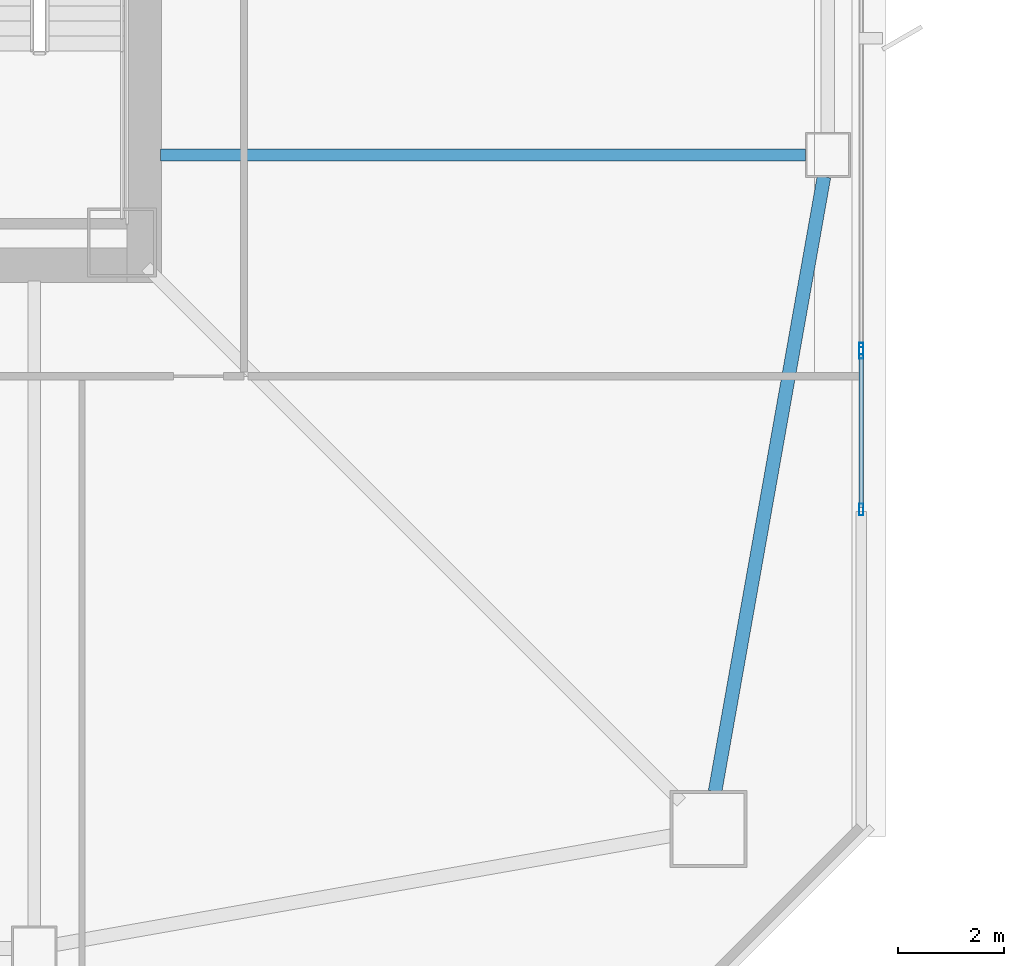
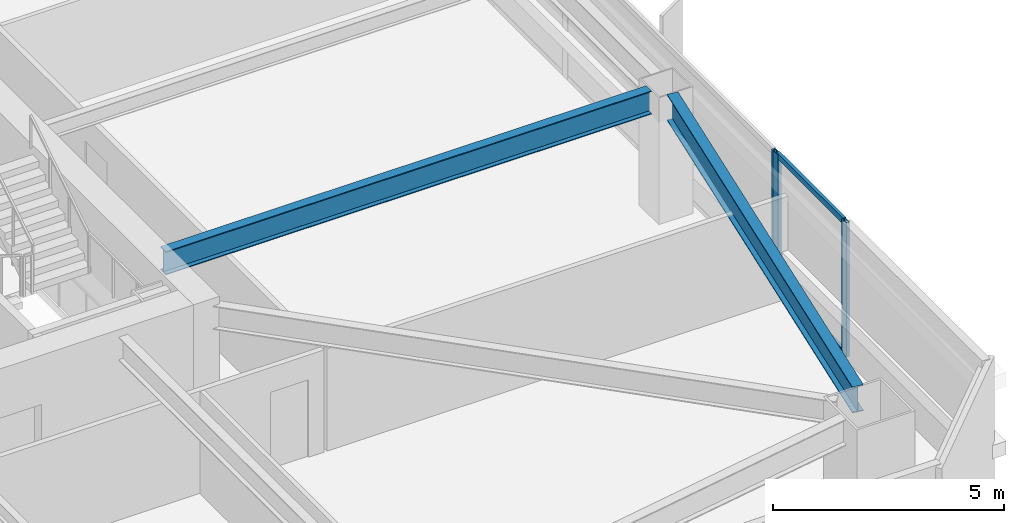
# One storey, part 10 of 49: 5 members, 2 beams, 2 elements without a shape of their own.
"""IFC4 building model written with IfcOpenShell, lengths in metres."""

from ifc_helpers import new_model, si_unit, direction, frame, origin, origin_2d, place, context, subcontext, project, spatial, hollow_rectangle, i_section, extrude, material, material_profile, profile_set, type_object, element, aggregate, save


model = new_model("IFC4")

# Units and contexts
model_context = context("Model", 3, precision=1e-05, world=origin(), true_north=direction((0.0, 1.0)))
body_context = subcontext(model_context, "Body", "Model", "MODEL_VIEW")
ifc_project = project(units=[si_unit("LENGTHUNIT", "METRE"), si_unit("AREAUNIT", "SQUARE_METRE"), si_unit("VOLUMEUNIT", "CUBIC_METRE"), si_unit("PLANEANGLEUNIT", "RADIAN"), si_unit("MASSUNIT", "GRAM", prefix="KILO")], contexts=[model_context])

# Site, building, storey
site_placement = place(None, origin())
site = spatial("IfcSite", under=ifc_project, at=site_placement, CompositionType="ELEMENT")
building_placement = place(site_placement, origin())
building = spatial("IfcBuilding", under=site, at=building_placement, Name="Tashvorn Skyway Center", CompositionType="ELEMENT")
storey_placement = place(building_placement, frame((0.0, 0.0, 70.75)))
storey = spatial("IfcBuildingStorey", under=building, at=storey_placement, Name="L18", CompositionType="ELEMENT", Elevation=70.75)

# Beams
ifc_material_1 = material(Name="Steel ASTM A992 Grade 50", Category="steel")
ifc_material_profile_1 = material_profile(ifc_material_1, i_section(OverallWidth=0.22998046875, OverallDepth=0.616943359375, WebThickness=0.01318359375, FlangeThickness=0.022216796875, at=origin_2d()), Name="W24X94")
ifc_profile_set_1 = profile_set([ifc_material_profile_1], Name="Steel ASTM A992 Grade 50")
beam_type_1 = type_object("IfcBeamType", Name="BM-BEAM-W24X94", PredefinedType="BEAM", material=ifc_profile_set_1)
beam_1_placement = place(storey_placement, frame((61.929931640625, 26.60009765625, 3.04150390625), z_axis=(-1.0, 0.0, 0.0), x_axis=(0.0, -1.0, 0.0)))
element("IfcBeam", 1, at=beam_1_placement, inside=storey, type_object=beam_type_1, Name="Tower 1 L18 Primary Floor Girder FC-E1", PredefinedType="BEAM", context=body_context, shape_type="SweptSolid", body=[
    extrude(i_section(OverallWidth=0.22998046875, OverallDepth=0.616943359375, WebThickness=0.01318359375, FlangeThickness=0.022216796875, at=origin_2d()), origin(), (0.0, 0.0, 1.0), 12.14990234375),
])
ifc_material_profile_2 = material_profile(ifc_material_1, i_section(OverallWidth=0.256103515625, OverallDepth=0.693115234375, WebThickness=0.014404296875, FlangeThickness=0.023681640625, at=origin_2d()), Name="W27X114")
ifc_profile_set_2 = profile_set([ifc_material_profile_2], Name="Steel ASTM A992 Grade 50")
beam_type_2 = type_object("IfcBeamType", Name="BM-SPANDREL-W27X114", PredefinedType="SPANDREL", material=ifc_profile_set_2)
beam_2_placement = place(storey_placement, frame((60.2255859375, 14.60888671875, 3.00341796875), z_axis=(0.174437966698, 0.98466816531, 0.0), x_axis=(-0.98466816531, 0.174437966698, 0.0)))
element("IfcBeam", 2, at=beam_2_placement, inside=storey, type_object=beam_type_2, Name="Tower 1 L18 Spandrel Beam 04", PredefinedType="SPANDREL", context=body_context, shape_type="SweptSolid", body=[
    extrude(i_section(OverallWidth=0.256103515625, OverallDepth=0.693115234375, WebThickness=0.014404296875, FlangeThickness=0.023681640625, at=origin_2d()), origin(), (0.0, 0.0, 1.0), 11.7578125),
])

# Curtain wall, member
ifc_material_2 = material(Name="Thermally broken bronze-anodized aluminium 6063-T6", Category="aluminium")
curtain_wall_type = type_object("IfcCurtainWallType", Name="CW-CW-Z2", PredefinedType="NOTDEFINED", material=ifc_material_2)
curtain_wall_1_placement = place(storey_placement, origin())
curtain_wall_1 = element("IfcCurtainWall", 3, at=curtain_wall_1_placement, inside=storey, type_object=curtain_wall_type, Name="Tower 1 L18 East Unitised Curtain Wall Glazing Group 2", PredefinedType="NOTDEFINED")
ifc_material_profile_3 = material_profile(ifc_material_2, hollow_rectangle(XDim=0.080078125, YDim=0.219970703125, WallThickness=0.0048828125, at=origin_2d()), Name="ALU-MULL-80x220")
ifc_profile_set_3 = profile_set([ifc_material_profile_3], Name="Thermally broken bronze-anodized aluminium 6063-T6")
member_type_1 = type_object("IfcMemberType", Name="CWM-CW-Z2", PredefinedType="MULLION", material=ifc_profile_set_3)
member_1_placement = place(storey_placement, frame((62.97998046875, 22.949951171875, 0.0), z_axis=(0.0, 0.0, 1.0), x_axis=(1.0, 0.0, 0.0)))
member_1 = element("IfcMember", 4, at=member_1_placement, type_object=member_type_1, Name="CW-Z2 mullion 3", PredefinedType="MULLION", context=body_context, shape_type="SweptSolid", body=[
    extrude(hollow_rectangle(XDim=0.080078125, YDim=0.219970703125, WallThickness=0.0048828125, at=origin_2d()), origin(), (0.0, 0.0, 1.0), 3.550048828125),
])
aggregate(curtain_wall_1, [member_1])

# Curtain wall, members
curtain_wall_2_placement = place(storey_placement, origin())
curtain_wall_2 = element("IfcCurtainWall", 5, at=curtain_wall_2_placement, inside=storey, type_object=curtain_wall_type, Name="Tower 1 L18 East Unitised Curtain Wall Glazing Group 3", PredefinedType="NOTDEFINED")
member_2_placement = place(storey_placement, frame((62.97998046875, 22.8701171875, 0.0), z_axis=(0.0, 0.0, 1.0), x_axis=(1.0, 0.0, 0.0)))
member_2 = element("IfcMember", 6, at=member_2_placement, type_object=member_type_1, Name="CW-Z2 mullion 1", PredefinedType="MULLION", context=body_context, shape_type="SweptSolid", body=[
    extrude(hollow_rectangle(XDim=0.080078125, YDim=0.219970703125, WallThickness=0.0048828125, at=origin_2d()), origin(), (0.0, 0.0, 1.0), 3.550048828125),
])
member_3_placement = place(storey_placement, frame((62.97998046875, 19.919921875, 0.0), z_axis=(0.0, 0.0, 1.0), x_axis=(1.0, 0.0, 0.0)))
member_3 = element("IfcMember", 7, at=member_3_placement, type_object=member_type_1, Name="CW-Z2 mullion 2", PredefinedType="MULLION", context=body_context, shape_type="SweptSolid", body=[
    extrude(hollow_rectangle(XDim=0.080078125, YDim=0.219970703125, WallThickness=0.0048828125, at=origin_2d()), origin(), (0.0, 0.0, 1.0), 3.550048828125),
])
ifc_material_profile_4 = material_profile(ifc_material_2, hollow_rectangle(XDim=0.080078125, YDim=0.14990234375, WallThickness=0.00439453125, at=origin_2d()), Name="ALU-TRAN-80x150")
ifc_profile_set_4 = profile_set([ifc_material_profile_4], Name="Thermally broken bronze-anodized aluminium 6063-T6")
member_type_2 = type_object("IfcMemberType", Name="CWT-CW-Z2", PredefinedType="USERDEFINED", material=ifc_profile_set_4)
member_4_placement = place(storey_placement, frame((62.97998046875, 22.830078125, 0.0400390625), z_axis=(0.0, -1.0, 0.0), x_axis=(1.0, 0.0, 0.0)))
member_4 = element("IfcMember", 8, at=member_4_placement, type_object=member_type_2, Name="CW-Z2 transom 1.1", ObjectType="TRANSOM", PredefinedType="USERDEFINED", context=body_context, shape_type="SweptSolid", body=[
    extrude(hollow_rectangle(XDim=0.080078125, YDim=0.14990234375, WallThickness=0.00439453125, at=origin_2d()), origin(), (0.0, 0.0, 1.0), 2.8701171875),
])
member_5_placement = place(storey_placement, frame((62.97998046875, 22.830078125, 3.510009765625), z_axis=(0.0, -1.0, 0.0), x_axis=(1.0, 0.0, 0.0)))
member_5 = element("IfcMember", 9, at=member_5_placement, type_object=member_type_2, Name="CW-Z2 transom 1.2", ObjectType="TRANSOM", PredefinedType="USERDEFINED", context=body_context, shape_type="SweptSolid", body=[
    extrude(hollow_rectangle(XDim=0.080078125, YDim=0.14990234375, WallThickness=0.00439453125, at=origin_2d()), origin(), (0.0, 0.0, 1.0), 2.8701171875),
])
aggregate(curtain_wall_2, [member_2, member_3, member_4, member_5])

save(model, "model.ifc")
